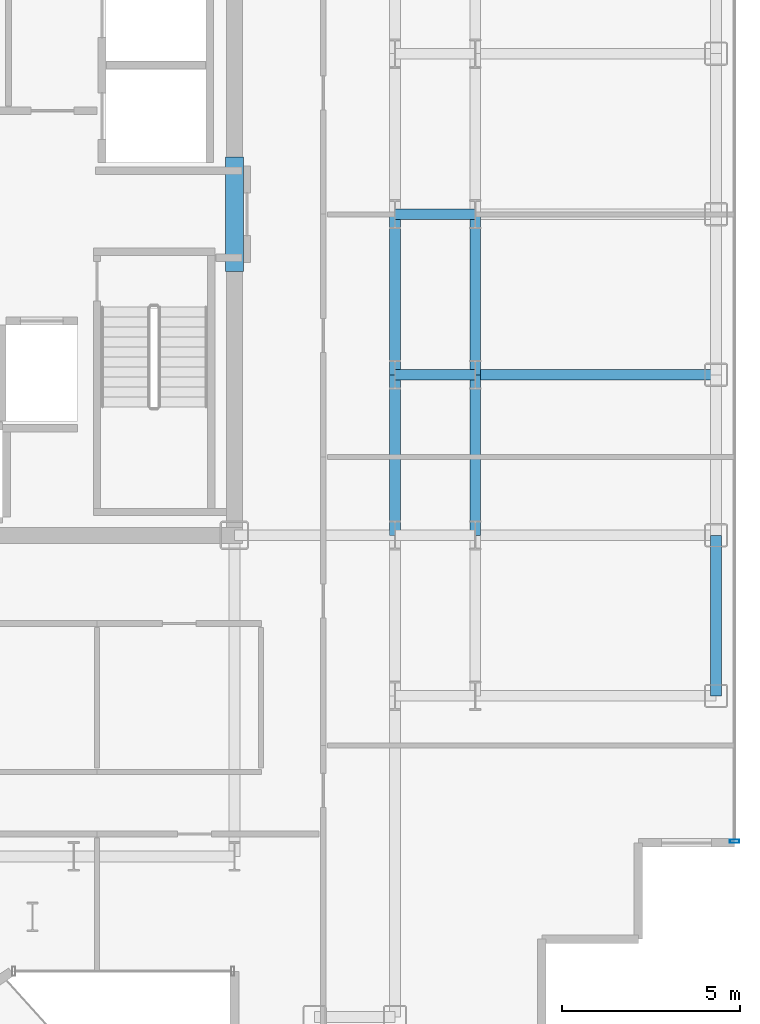
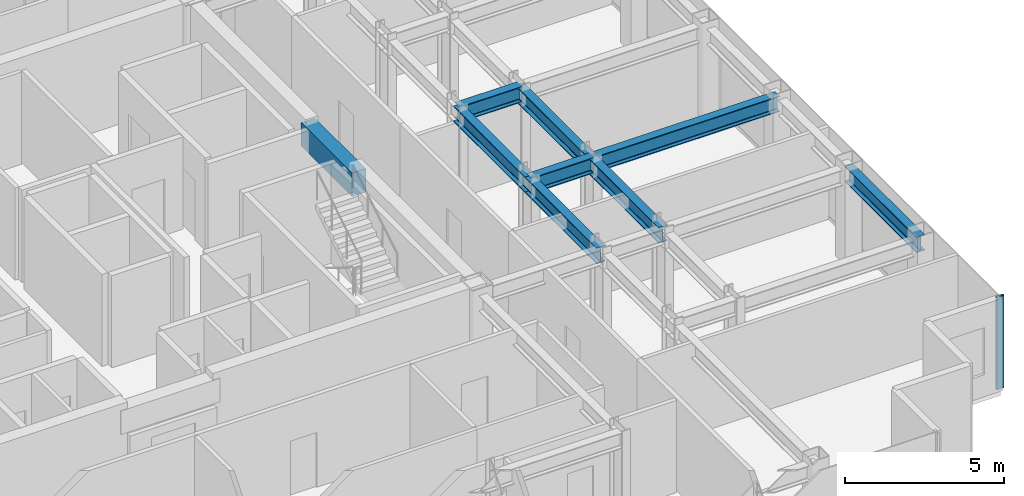
# One storey, part 6 of 21: 9 beams, 1 member, 1 element without a shape of its own.
"""IFC4 building model written with IfcOpenShell, lengths in metres."""

from ifc_helpers import new_model, si_unit, direction, frame, origin, origin_2d, place, context, subcontext, project, spatial, rectangle, hollow_rectangle, i_section, extrude, source, transform, mapped, material, layer, layer_set, material_profile, profile_set, type_object, element, aggregate, save


model = new_model("IFC4")

# Units and contexts
model_context = context("Model", 3, precision=1e-05, world=origin(), true_north=direction((0.0, 1.0)))
body_context = subcontext(model_context, "Body", "Model", "MODEL_VIEW")
ifc_project = project(units=[si_unit("LENGTHUNIT", "METRE"), si_unit("AREAUNIT", "SQUARE_METRE"), si_unit("VOLUMEUNIT", "CUBIC_METRE"), si_unit("PLANEANGLEUNIT", "RADIAN"), si_unit("MASSUNIT", "GRAM", prefix="KILO")], contexts=[model_context])

# Site, building, storey
site_placement = place(None, origin())
site = spatial("IfcSite", under=ifc_project, at=site_placement, CompositionType="ELEMENT")
building_placement = place(site_placement, origin())
building = spatial("IfcBuilding", under=site, at=building_placement, Name="Nefas-Gora Pilgrimage Tower", CompositionType="ELEMENT")
storey_placement = place(building_placement, frame((0.0, 0.0, 210.39990234375)))
storey = spatial("IfcBuildingStorey", under=building, at=storey_placement, Name="L52", CompositionType="ELEMENT", Elevation=210.39990234375)

# Beams
ifc_material_1 = material(Name="Concrete C50/60", Category="concrete")
ifc_material_profile_1 = material_profile(ifc_material_1, rectangle(XDim=0.5, YDim=0.89990234375, at=origin_2d()), Name="RC 500x900")
ifc_profile_set_1 = profile_set([ifc_material_profile_1], Name="Concrete C50/60")
beam_type_1 = type_object("IfcBeamType", Name="BM-LIN-RC900", PredefinedType="LINTEL", material=ifc_profile_set_1)
shared_shape_1 = source(origin(), body_context, "Body", "SweptSolid", [
    extrude(rectangle(XDim=0.5, YDim=0.89990234375, at=origin_2d()), origin(), (0.0, 0.0, 1.0), 3.2001953125),
])
beam_1_placement = place(storey_placement, frame((11.25, -1.60009765625, 3.10009765625), z_axis=(0.0, 1.0, 0.0), x_axis=(-1.0, 0.0, 0.0)))
element("IfcBeam", 1, at=beam_1_placement, inside=storey, type_object=beam_type_1, Name="L52 Core Coupling Lintel Beam E", PredefinedType="LINTEL", context=body_context, shape_type="MappedRepresentation", body=[
    mapped(shared_shape_1, transform((0.0, 0.0, 0.0), x_axis=(1.0, 0.0, 0.0), y_axis=(0.0, 1.0, 0.0), z_axis=(0.0, 0.0, 1.0), scale=1.0)),
])
ifc_material_2 = material(Name="Steel S355", Category="steel")
ifc_material_profile_2 = material_profile(ifc_material_2, i_section(OverallWidth=0.300048828125, OverallDepth=0.60009765625, WebThickness=0.015380859375, FlangeThickness=0.030029296875, FilletRadius=0.027099609375, at=origin_2d()), Name="HEB 600")
ifc_profile_set_2 = profile_set([ifc_material_profile_2], Name="Steel S355")
beam_type_2 = type_object("IfcBeamType", Name="BM-SPN-HEB450", PredefinedType="SPANDREL", material=ifc_profile_set_2)
shared_shape_2 = source(origin(), body_context, "Body", "SweptSolid", [
    extrude(i_section(OverallWidth=0.300048828125, OverallDepth=0.60009765625, WebThickness=0.015380859375, FlangeThickness=0.030029296875, FilletRadius=0.027099609375, at=origin_2d()), origin(), (0.0, 0.0, 1.0), 4.5),
])
beam_2_placement = place(storey_placement, frame((24.75, -13.5, 3.25), z_axis=(0.0, 1.0, 0.0), x_axis=(-1.0, 0.0, 0.0)))
element("IfcBeam", 2, at=beam_2_placement, inside=storey, type_object=beam_type_2, Name="L52 SP-03 beam", PredefinedType="SPANDREL", context=body_context, shape_type="MappedRepresentation", body=[
    mapped(shared_shape_2, transform((0.0, 0.0, 0.0), x_axis=(1.0, 0.0, 0.0), y_axis=(0.0, 1.0, 0.0), z_axis=(0.0, 0.0, 1.0), scale=1.0)),
])
ifc_material_profile_3 = material_profile(ifc_material_2, i_section(OverallWidth=0.300048828125, OverallDepth=0.60009765625, WebThickness=0.015380859375, FlangeThickness=0.030029296875, FilletRadius=0.027099609375, at=origin_2d()), Name="HEB 600")
ifc_profile_set_3 = profile_set([ifc_material_profile_3], Name="Steel S355")
beam_type_3 = type_object("IfcBeamType", Name="BM-GIR-HEB600", PredefinedType="BEAM", material=ifc_profile_set_3)
shared_shape_3 = source(origin(), body_context, "Body", "SweptSolid", [
    extrude(i_section(OverallWidth=0.300048828125, OverallDepth=0.60009765625, WebThickness=0.015380859375, FlangeThickness=0.030029296875, FilletRadius=0.027099609375, at=origin_2d()), origin(), (0.0, 0.0, 1.0), 4.5),
])
for number, where, z_axis, x_axis, name in (
    (3, (15.75, -9.0, 3.25), (0.0, 1.0, 0.0), (-1.0, 0.0, 0.0), "L52 G-04 beam"),
    (4, (15.75, -4.5, 3.25), (0.0, 1.0, 0.0), (-1.0, 0.0, 0.0), "L52 G-04 beam"),
    (5, (18.0, -9.0, 3.25), (0.0, 1.0, 0.0), (-1.0, 0.0, 0.0), "L52 G-04 beam"),
    (6, (18.0, -4.5, 3.25), (0.0, 1.0, 0.0), (-1.0, 0.0, 0.0), "L52 G-04 beam"),
):
    element("IfcBeam", number, at=place(storey_placement, frame(where, z_axis=z_axis, x_axis=x_axis)), inside=storey, type_object=beam_type_3, Name=name, PredefinedType="BEAM", context=body_context, shape_type="MappedRepresentation", body=[
        mapped(shared_shape_3, transform((0.0, 0.0, 0.0), x_axis=(1.0, 0.0, 0.0), y_axis=(0.0, 1.0, 0.0), z_axis=(0.0, 0.0, 1.0), scale=1.0)),
    ])
shared_shape_4 = source(origin(), body_context, "Body", "SweptSolid", [
    extrude(i_section(OverallWidth=0.300048828125, OverallDepth=0.60009765625, WebThickness=0.015380859375, FlangeThickness=0.030029296875, FilletRadius=0.027099609375, at=origin_2d()), origin(), (0.0, 0.0, 1.0), 6.75),
])
beam_3_placement = place(storey_placement, frame((18.0, -4.5, 3.25), z_axis=(1.0, 0.0, 0.0), x_axis=(0.0, 1.0, 0.0)))
element("IfcBeam", 7, at=beam_3_placement, inside=storey, type_object=beam_type_3, Name="L52 G-04 beam", PredefinedType="BEAM", context=body_context, shape_type="MappedRepresentation", body=[
    mapped(shared_shape_4, transform((0.0, 0.0, 0.0), x_axis=(1.0, 0.0, 0.0), y_axis=(0.0, 1.0, 0.0), z_axis=(0.0, 0.0, 1.0), scale=1.0)),
])
shared_shape_5 = source(origin(), body_context, "Body", "SweptSolid", [
    extrude(i_section(OverallWidth=0.300048828125, OverallDepth=0.60009765625, WebThickness=0.015380859375, FlangeThickness=0.030029296875, FilletRadius=0.027099609375, at=origin_2d()), origin(), (0.0, 0.0, 1.0), 2.25),
])
for number, where, z_axis, x_axis, name in (
    (8, (15.75, -4.5, 3.25), (1.0, 0.0, 0.0), (0.0, 1.0, 0.0), "L52 G-04 beam"),
    (9, (15.75, 0.0, 3.25), (1.0, 0.0, 0.0), (0.0, 1.0, 0.0), "L52 G-04 beam"),
):
    element("IfcBeam", number, at=place(storey_placement, frame(where, z_axis=z_axis, x_axis=x_axis)), inside=storey, type_object=beam_type_3, Name=name, PredefinedType="BEAM", context=body_context, shape_type="MappedRepresentation", body=[
        mapped(shared_shape_5, transform((0.0, 0.0, 0.0), x_axis=(1.0, 0.0, 0.0), y_axis=(0.0, 1.0, 0.0), z_axis=(0.0, 0.0, 1.0), scale=1.0)),
    ])

# Curtain wall, member
ifc_material_3 = material(Name="Dark ceramic-fritted solar-control aluminium-glass curtain wall", Category="aluminium")
ifc_layer = layer(ifc_material_3, 0.219970703125)
ifc_layer_set = layer_set([ifc_layer], Name="Dark ceramic-fritted solar-control aluminium-glass curtain wall")
curtain_wall_type = type_object("IfcCurtainWallType", Name="CW-SYS-3", PredefinedType="NOTDEFINED", material=ifc_layer_set)
curtain_wall_placement = place(storey_placement, origin())
curtain_wall = element("IfcCurtainWall", 10, at=curtain_wall_placement, inside=storey, type_object=curtain_wall_type, Name="L52 Unitised Curtain Wall CW3", PredefinedType="NOTDEFINED")
ifc_material_4 = material(Name="Anodised architectural aluminium", Category="aluminium")
ifc_material_profile_4 = material_profile(ifc_material_4, hollow_rectangle(XDim=0.090087890625, YDim=0.260009765625, WallThickness=0.006103515625, InnerFilletRadius=0.006103515625, OuterFilletRadius=0.011962890625, at=origin_2d()), Name="ALU MULLION 90x260")
ifc_profile_set_4 = profile_set([ifc_material_profile_4], Name="Anodised architectural aluminium")
member_type = type_object("IfcMemberType", Name="CWM-MUL-3", PredefinedType="MULLION", material=ifc_profile_set_4)
shared_shape_6 = source(origin(), body_context, "Body", "SweptSolid", [
    extrude(hollow_rectangle(XDim=0.090087890625, YDim=0.260009765625, WallThickness=0.006103515625, InnerFilletRadius=0.006103515625, OuterFilletRadius=0.011962890625, at=origin_2d()), origin(), (0.0, 0.0, 1.0), 3.550048828125),
])
member_placement = place(storey_placement, frame((25.27001953125, -17.574951171875, 0.0), z_axis=(0.0, 0.0, 1.0), x_axis=(0.0, 1.0, 0.0)))
member = element("IfcMember", 11, at=member_placement, type_object=member_type, Name="CW3 Mullion 1", PredefinedType="MULLION", context=body_context, shape_type="MappedRepresentation", body=[
    mapped(shared_shape_6, transform((0.0, 0.0, 0.0), x_axis=(1.0, 0.0, 0.0), y_axis=(0.0, 1.0, 0.0), z_axis=(0.0, 0.0, 1.0), scale=1.0)),
])
aggregate(curtain_wall, [member])

save(model, "model.ifc")
